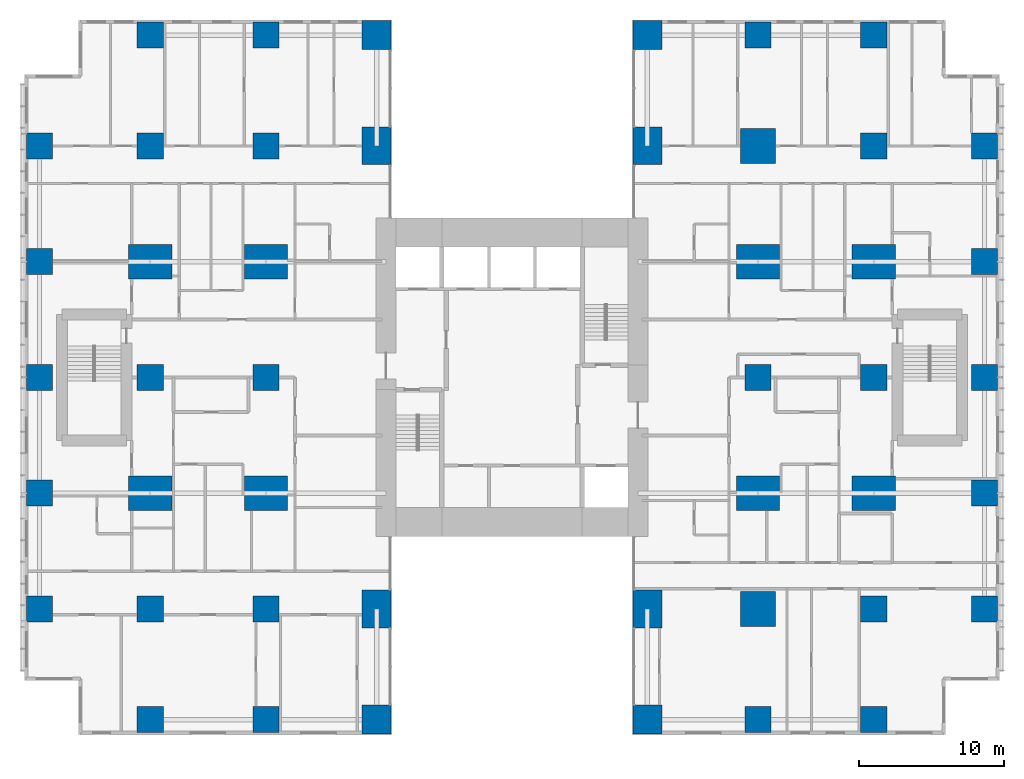
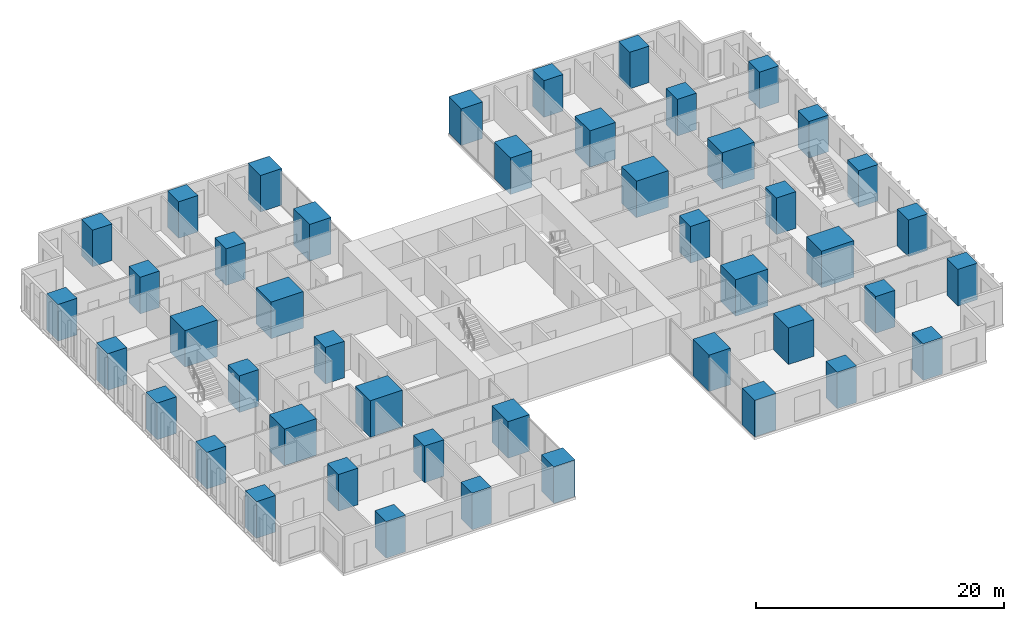
# One storey, part 1 of 20: 46 columns.
"""IFC4 building model written with IfcOpenShell, lengths in metres."""

from ifc_helpers import new_model, si_unit, direction, frame, origin, origin_2d, place, context, subcontext, project, spatial, rectangle, extrude, material, material_profile, profile_set, type_object, element, save


model = new_model("IFC4")

# Units and contexts
model_context = context("Model", 3, precision=1e-05, world=origin(), true_north=direction((0.0, 1.0)))
body_context = subcontext(model_context, "Body", "Model", "MODEL_VIEW")
ifc_project = project(units=[si_unit("LENGTHUNIT", "METRE"), si_unit("AREAUNIT", "SQUARE_METRE"), si_unit("VOLUMEUNIT", "CUBIC_METRE"), si_unit("PLANEANGLEUNIT", "RADIAN"), si_unit("MASSUNIT", "GRAM", prefix="KILO")], contexts=[model_context])

# Site, building, storey
site_placement = place(None, origin())
site = spatial("IfcSite", under=ifc_project, at=site_placement, CompositionType="ELEMENT")
building_placement = place(site_placement, origin())
building = spatial("IfcBuilding", under=site, at=building_placement, Name="Cleftline Residences", CompositionType="ELEMENT")
storey_placement = place(building_placement, frame((0.0, 0.0, 185.800048828125)))
storey = spatial("IfcBuildingStorey", under=building, at=storey_placement, Name="L48", CompositionType="ELEMENT", Elevation=185.800048828125)

# Columns
ifc_material_1 = material(Name="Concrete B70", Category="concrete")
ifc_material_profile_1 = material_profile(ifc_material_1, rectangle(XDim=1.800048828125, YDim=1.800048828125, at=origin_2d()))
ifc_profile_set_1 = profile_set([ifc_material_profile_1], Name="Concrete B70")
column_type_1 = type_object("IfcColumnType", Name="COLUMN RC1800X1800", PredefinedType="COLUMN", material=ifc_profile_set_1)
for number, where, z_axis, x_axis, name in (
    (1, (0.35009765625, 8.0, 0.0), (0.0, 0.0, 1.0), (1.0, 0.0, 0.0), "Column D/3"),
    (2, (0.35009765625, 16.0, 0.0), (0.0, 0.0, 1.0), (1.0, 0.0, 0.0), "Column E/3"),
    (3, (0.35009765625, 24.0, 0.0), (0.0, 0.0, 1.0), (1.0, 0.0, 0.0), "Column F/3"),
    (4, (0.35009765625, 32.0, 0.0), (0.0, 0.0, 1.0), (1.0, 0.0, 0.0), "Column G/3"),
    (5, (0.35009765625, 40.0, 0.0), (0.0, 0.0, 1.0), (1.0, 0.0, 0.0), "Column H/3"),
    (6, (8.0, 0.35009765625, 0.0), (0.0, 0.0, 1.0), (1.0, 0.0, 0.0), "Column C/4"),
    (7, (8.0, 8.0, 0.0), (0.0, 0.0, 1.0), (1.0, 0.0, 0.0), "Column D/4"),
    (8, (8.0, 24.0, 0.0), (0.0, 0.0, 1.0), (1.0, 0.0, 0.0), "Column F/4"),
    (9, (8.0, 40.0, 0.0), (0.0, 0.0, 1.0), (1.0, 0.0, 0.0), "Column H/4"),
    (10, (8.0, 47.64990234375, 0.0), (0.0, 0.0, 1.0), (1.0, 0.0, 0.0), "Column J/4"),
    (11, (16.0, 0.35009765625, 0.0), (0.0, 0.0, 1.0), (1.0, 0.0, 0.0), "Column C/5"),
    (12, (16.0, 8.0, 0.0), (0.0, 0.0, 1.0), (1.0, 0.0, 0.0), "Column D/5"),
    (13, (16.0, 24.0, 0.0), (0.0, 0.0, 1.0), (1.0, 0.0, 0.0), "Column F/5"),
    (14, (16.0, 40.0, 0.0), (0.0, 0.0, 1.0), (1.0, 0.0, 0.0), "Column H/5"),
    (15, (16.0, 47.64990234375, 0.0), (0.0, 0.0, 1.0), (1.0, 0.0, 0.0), "Column J/5"),
    (16, (50.0, 0.35009765625, 0.0), (0.0, 0.0, 1.0), (1.0, 0.0, 0.0), "Column C/9"),
    (17, (50.0, 24.0, 0.0), (0.0, 0.0, 1.0), (1.0, 0.0, 0.0), "Column F/9"),
    (18, (50.0, 47.64990234375, 0.0), (0.0, 0.0, 1.0), (1.0, 0.0, 0.0), "Column J/9"),
    (19, (58.0, 0.35009765625, 0.0), (0.0, 0.0, 1.0), (1.0, 0.0, 0.0), "Column C/10"),
    (20, (58.0, 8.0, 0.0), (0.0, 0.0, 1.0), (1.0, 0.0, 0.0), "Column D/10"),
    (21, (58.0, 24.0, 0.0), (0.0, 0.0, 1.0), (1.0, 0.0, 0.0), "Column F/10"),
    (22, (58.0, 40.0, 0.0), (0.0, 0.0, 1.0), (1.0, 0.0, 0.0), "Column H/10"),
    (23, (58.0, 47.64990234375, 0.0), (0.0, 0.0, 1.0), (1.0, 0.0, 0.0), "Column J/10"),
    (24, (65.64990234375, 8.0, 0.0), (0.0, 0.0, 1.0), (1.0, 0.0, 0.0), "Column D/11"),
    (25, (65.64990234375, 16.0, 0.0), (0.0, 0.0, 1.0), (1.0, 0.0, 0.0), "Column E/11"),
    (26, (65.64990234375, 24.0, 0.0), (0.0, 0.0, 1.0), (1.0, 0.0, 0.0), "Column F/11"),
    (27, (65.64990234375, 32.0, 0.0), (0.0, 0.0, 1.0), (1.0, 0.0, 0.0), "Column G/11"),
    (28, (65.64990234375, 40.0, 0.0), (0.0, 0.0, 1.0), (1.0, 0.0, 0.0), "Column H/11"),
):
    element("IfcColumn", number, at=place(storey_placement, frame(where, z_axis=z_axis, x_axis=x_axis)), inside=storey, type_object=column_type_1, Name=name, PredefinedType="COLUMN", context=body_context, shape_type="SweptSolid", body=[
        extrude(rectangle(XDim=1.800048828125, YDim=1.800048828125, at=origin_2d()), origin(), (0.0, 0.0, 1.0), 3.599853515625),
    ])
ifc_material_2 = material(Name="Concrete B70", Category="concrete")
ifc_material_profile_2 = material_profile(ifc_material_2, rectangle(XDim=2.0, YDim=2.0, at=origin_2d()))
ifc_profile_set_2 = profile_set([ifc_material_profile_2], Name="Concrete B70")
column_type_2 = type_object("IfcColumnType", Name="COLUMN RC2000X2000", PredefinedType="COLUMN", material=ifc_profile_set_2)
for number, where, z_axis, x_axis, name in (
    (29, (23.64990234375, 0.35009765625, 0.0), (0.0, 0.0, 1.0), (1.0, 0.0, 0.0), "Column C/6"),
    (30, (23.64990234375, 47.64990234375, 0.0), (0.0, 0.0, 1.0), (1.0, 0.0, 0.0), "Column J/6"),
    (31, (42.35009765625, 0.35009765625, 0.0), (0.0, 0.0, 1.0), (1.0, 0.0, 0.0), "Column C/8"),
    (32, (42.35009765625, 47.64990234375, 0.0), (0.0, 0.0, 1.0), (1.0, 0.0, 0.0), "Column J/8"),
):
    element("IfcColumn", number, at=place(storey_placement, frame(where, z_axis=z_axis, x_axis=x_axis)), inside=storey, type_object=column_type_2, Name=name, PredefinedType="COLUMN", context=body_context, shape_type="SweptSolid", body=[
        extrude(rectangle(XDim=2.0, YDim=2.0, at=origin_2d()), origin(), (0.0, 0.0, 1.0), 3.599853515625),
    ])
ifc_material_3 = material(Name="Concrete B70", Category="concrete")
ifc_material_profile_3 = material_profile(ifc_material_3, rectangle(XDim=2.0, YDim=2.60009765625, at=origin_2d()))
ifc_profile_set_3 = profile_set([ifc_material_profile_3], Name="Concrete B70")
column_type_3 = type_object("IfcColumnType", Name="COLUMN RC2000X2600", PredefinedType="COLUMN", material=ifc_profile_set_3)
for number, where, z_axis, x_axis, name in (
    (33, (23.64990234375, 8.0, 0.0), (0.0, 0.0, 1.0), (1.0, 0.0, 0.0), "Column D/6"),
    (34, (23.64990234375, 40.0, 0.0), (0.0, 0.0, 1.0), (1.0, 0.0, 0.0), "Column H/6"),
    (35, (42.35009765625, 8.0, 0.0), (0.0, 0.0, 1.0), (1.0, 0.0, 0.0), "Column D/8"),
    (36, (42.35009765625, 40.0, 0.0), (0.0, 0.0, 1.0), (1.0, 0.0, 0.0), "Column H/8"),
):
    element("IfcColumn", number, at=place(storey_placement, frame(where, z_axis=z_axis, x_axis=x_axis)), inside=storey, type_object=column_type_3, Name=name, PredefinedType="COLUMN", context=body_context, shape_type="SweptSolid", body=[
        extrude(rectangle(XDim=2.0, YDim=2.60009765625, at=origin_2d()), origin(), (0.0, 0.0, 1.0), 3.599853515625),
    ])
ifc_material_4 = material(Name="Concrete B70", Category="concrete")
ifc_material_profile_4 = material_profile(ifc_material_4, rectangle(XDim=2.39990234375, YDim=2.39990234375, at=origin_2d()))
ifc_profile_set_4 = profile_set([ifc_material_profile_4], Name="Concrete B70")
column_type_4 = type_object("IfcColumnType", Name="COLUMN RC2400X2400", PredefinedType="COLUMN", material=ifc_profile_set_4)
for number, where, z_axis, x_axis, name in (
    (37, (50.0, 8.0, 0.0), (0.0, 0.0, 1.0), (1.0, 0.0, 0.0), "Column D/9"),
    (38, (50.0, 40.0, 0.0), (0.0, 0.0, 1.0), (1.0, 0.0, 0.0), "Column H/9"),
):
    element("IfcColumn", number, at=place(storey_placement, frame(where, z_axis=z_axis, x_axis=x_axis)), inside=storey, type_object=column_type_4, Name=name, PredefinedType="COLUMN", context=body_context, shape_type="SweptSolid", body=[
        extrude(rectangle(XDim=2.39990234375, YDim=2.39990234375, at=origin_2d()), origin(), (0.0, 0.0, 1.0), 3.599853515625),
    ])
ifc_material_5 = material(Name="Concrete B70", Category="concrete")
ifc_material_profile_5 = material_profile(ifc_material_5, rectangle(XDim=3.0, YDim=2.39990234375, at=origin_2d()))
ifc_profile_set_5 = profile_set([ifc_material_profile_5], Name="Concrete B70")
column_type_5 = type_object("IfcColumnType", Name="COLUMN RC3000X2400", PredefinedType="COLUMN", material=ifc_profile_set_5)
for number, where, z_axis, x_axis, name in (
    (39, (8.0, 16.0, 0.0), (0.0, 0.0, 1.0), (1.0, 0.0, 0.0), "Column E/4"),
    (40, (8.0, 32.0, 0.0), (0.0, 0.0, 1.0), (1.0, 0.0, 0.0), "Column G/4"),
    (41, (16.0, 16.0, 0.0), (0.0, 0.0, 1.0), (1.0, 0.0, 0.0), "Column E/5"),
    (42, (16.0, 32.0, 0.0), (0.0, 0.0, 1.0), (1.0, 0.0, 0.0), "Column G/5"),
    (43, (50.0, 16.0, 0.0), (0.0, 0.0, 1.0), (1.0, 0.0, 0.0), "Column E/9"),
    (44, (50.0, 32.0, 0.0), (0.0, 0.0, 1.0), (1.0, 0.0, 0.0), "Column G/9"),
    (45, (58.0, 16.0, 0.0), (0.0, 0.0, 1.0), (1.0, 0.0, 0.0), "Column E/10"),
    (46, (58.0, 32.0, 0.0), (0.0, 0.0, 1.0), (1.0, 0.0, 0.0), "Column G/10"),
):
    element("IfcColumn", number, at=place(storey_placement, frame(where, z_axis=z_axis, x_axis=x_axis)), inside=storey, type_object=column_type_5, Name=name, PredefinedType="COLUMN", context=body_context, shape_type="SweptSolid", body=[
        extrude(rectangle(XDim=3.0, YDim=2.39990234375, at=origin_2d()), origin(), (0.0, 0.0, 1.0), 3.599853515625),
    ])

save(model, "model.ifc")
